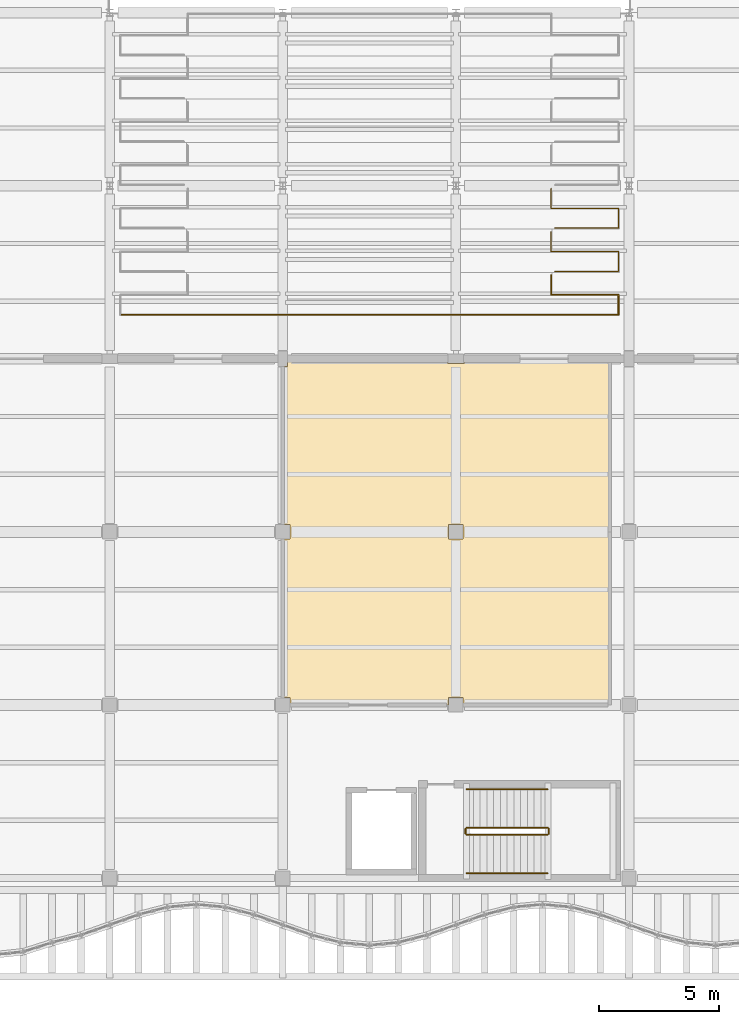
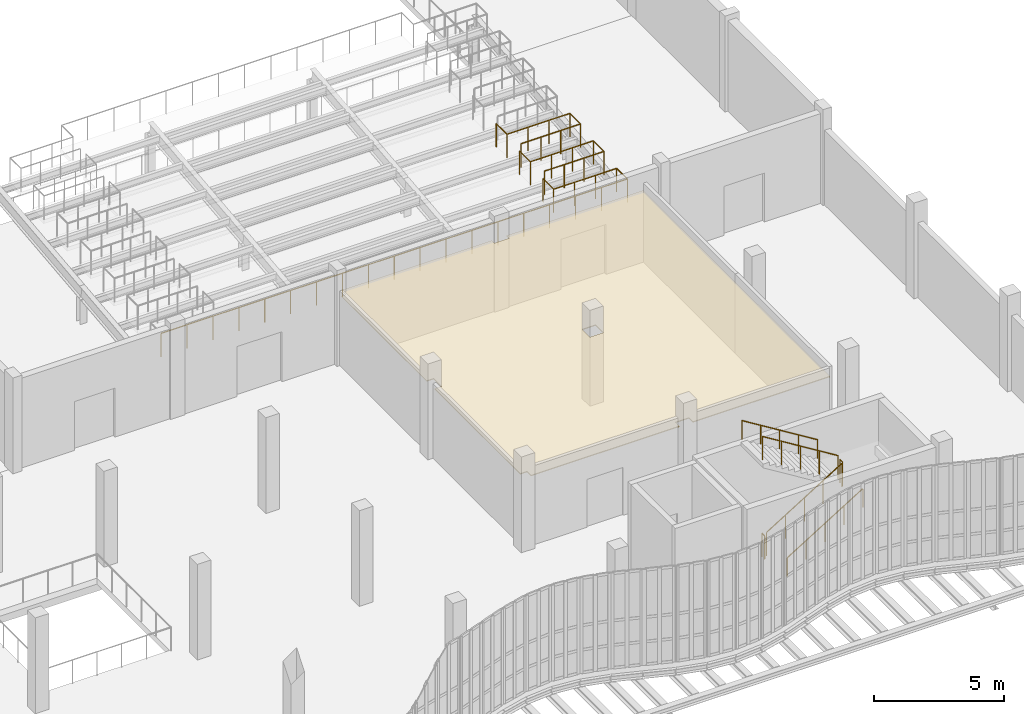
# One storey, part 99 of 105: 9 railings, 1 covering.
"""IFC4 building model written with IfcOpenShell, lengths in metres."""

from ifc_helpers import new_model, si_unit, direction, frame, origin, origin_2d, place, context, subcontext, project, spatial, polyline, circle, outline, extrude, material, layer, layer_set, type_object, element, save


model = new_model("IFC4")

# Units and contexts
model_context = context("Model", 3, precision=1e-05, world=origin(), true_north=direction((0.0, 1.0)))
body_context = subcontext(model_context, "Body", "Model", "MODEL_VIEW")
ifc_project = project(units=[si_unit("LENGTHUNIT", "METRE"), si_unit("AREAUNIT", "SQUARE_METRE"), si_unit("VOLUMEUNIT", "CUBIC_METRE"), si_unit("PLANEANGLEUNIT", "RADIAN"), si_unit("MASSUNIT", "GRAM", prefix="KILO"), si_unit("THERMODYNAMICTEMPERATUREUNIT", "KELVIN"), si_unit("POWERUNIT", "WATT")], contexts=[model_context])

# Site, building, storey
site_placement = place(None, origin())
site = spatial("IfcSite", under=ifc_project, at=site_placement, CompositionType="ELEMENT")
building_placement = place(site_placement, origin())
building = spatial("IfcBuilding", under=site, at=building_placement, Name="Kaldorven Railside Theatre", CompositionType="ELEMENT")
storey_placement = place(building_placement, frame((0.0, 0.0, 9.89990234375)))
storey = spatial("IfcBuildingStorey", under=building, at=storey_placement, Name="L02", CompositionType="ELEMENT", Elevation=9.89990234375)

# Covering
ifc_material_1 = material(Name="Acoustic gypsum board")
ifc_layer = layer(ifc_material_1, 0.0400390625, Name="Acoustic gypsum board")
ifc_layer_set = layer_set([ifc_layer], Name="Acoustic gypsum board")
covering_type = type_object("IfcCoveringType", Name="COV-CLG-01", PredefinedType="CEILING", material=ifc_layer_set)
covering_placement = place(storey_placement, frame((0.0, 0.0, 3.210205078125)))
element("IfcCovering", 1, at=covering_placement, inside=storey, type_object=covering_type, Name="Theatre Archive Room Acoustic Ceiling 017", PredefinedType="CEILING", context=body_context, shape_type="SweptSolid", body=[
    extrude(outline(polyline([(115.199951171875, 40.800048828125), (115.199951171875, 26.39990234375), (109.10205078125, 26.39990234375), (109.10205078125, 26.701904296875), (108.498046875, 26.701904296875), (108.498046875, 26.39990234375), (101.902099609375, 26.39990234375), (101.902099609375, 26.701904296875), (101.60009765625, 26.701904296875), (101.60009765625, 33.298095703125), (101.902099609375, 33.298095703125), (101.902099609375, 33.902099609375), (101.60009765625, 33.902099609375), (101.60009765625, 40.472900390625), (101.802001953125, 40.472900390625), (101.802001953125, 40.800048828125), (108.472900390625, 40.800048828125), (108.472900390625, 40.597900390625), (109.126953125, 40.597900390625), (109.126953125, 40.800048828125), (115.199951171875, 40.800048828125)]), holes=[polyline([(108.498046875, 33.902099609375), (108.498046875, 33.298095703125), (109.10205078125, 33.298095703125), (109.10205078125, 33.902099609375), (108.498046875, 33.902099609375)])]), origin(), (0.0, 0.0, 1.0), 0.039794921875),
])

# Railings
ifc_material_2 = material(Name="Anodised bronze aluminium", Category="aluminium")
railing_type_1 = type_object("IfcRailingType", Name="RLG-BAL-1100", PredefinedType="BALUSTRADE", material=ifc_material_2)
railing_1_placement = place(storey_placement, frame((112.760009765625, 44.280029296875, 1.4501953125)))
element("IfcRailing", 2, at=railing_1_placement, inside=storey, type_object=railing_type_1, Name="L02 Auditorium Tier Safety Guard GR-104", PredefinedType="BALUSTRADE", context=body_context, shape_type="SweptSolid", body=[
    extrude(circle(Radius=0.02392578125, at=origin_2d()), frame((0.0, 0.0, 1.09619140625), z_axis=(0.0, -1.0, 0.0), x_axis=(1.0, 0.0, 0.0)), (0.0, 0.0, 1.0), 0.820068359375),
    extrude(circle(Radius=0.02392578125, at=origin_2d()), frame((0.0, -0.820068359375, 1.09619140625), z_axis=(1.0, 0.0, 0.0), x_axis=(0.0, 1.0, 0.0)), (0.0, 0.0, 1.0), 2.800048828125),
    extrude(circle(Radius=0.02392578125, at=origin_2d()), frame((2.800048828125, -0.820068359375, 1.09619140625), z_axis=(0.0, -1.0, 0.0), x_axis=(1.0, 0.0, 0.0)), (0.0, 0.0, 1.0), 0.820068359375),
    extrude(circle(Radius=0.02392578125, at=origin_2d()), frame((2.800048828125, -1.64013671875, 1.09619140625), z_axis=(-1.0, 0.0, 0.0), x_axis=(0.0, -1.0, 0.0)), (0.0, 0.0, 1.0), 20.719970703125),
    extrude(circle(Radius=0.02099609375, at=origin_2d()), origin(), (0.0, 0.0, 1.0), 1.072021484375),
    extrude(circle(Radius=0.02099609375, at=origin_2d()), frame((0.0, -0.820068359375, 0.0)), (0.0, 0.0, 1.0), 1.072021484375),
    extrude(circle(Radius=0.02099609375, at=origin_2d()), frame((0.933349609375, -0.820068359375, 0.0)), (0.0, 0.0, 1.0), 1.072021484375),
    extrude(circle(Radius=0.02099609375, at=origin_2d()), frame((1.86669921875, -0.820068359375, 0.0)), (0.0, 0.0, 1.0), 1.072021484375),
    extrude(circle(Radius=0.02099609375, at=origin_2d()), frame((2.800048828125, -0.820068359375, 0.0)), (0.0, 0.0, 1.0), 1.072021484375),
    extrude(circle(Radius=0.02099609375, at=origin_2d()), frame((2.800048828125, -1.64013671875, 0.0)), (0.0, 0.0, 1.0), 1.072021484375),
    extrude(circle(Radius=0.02099609375, at=origin_2d()), frame((1.64892578125, -1.64013671875, 0.0)), (0.0, 0.0, 1.0), 1.072021484375),
    extrude(circle(Radius=0.02099609375, at=origin_2d()), frame((0.497802734375, -1.64013671875, 0.0)), (0.0, 0.0, 1.0), 1.072021484375),
    extrude(circle(Radius=0.02099609375, at=origin_2d()), frame((-0.6533203125, -1.64013671875, 0.0)), (0.0, 0.0, 1.0), 1.072021484375),
    extrude(circle(Radius=0.02099609375, at=origin_2d()), frame((-1.804443359375, -1.64013671875, 0.0)), (0.0, 0.0, 1.0), 1.072021484375),
    extrude(circle(Radius=0.02099609375, at=origin_2d()), frame((-2.95556640625, -1.64013671875, 0.0)), (0.0, 0.0, 1.0), 1.072021484375),
    extrude(circle(Radius=0.02099609375, at=origin_2d()), frame((-4.106689453125, -1.64013671875, 0.0)), (0.0, 0.0, 1.0), 1.072021484375),
    extrude(circle(Radius=0.02099609375, at=origin_2d()), frame((-5.2578125, -1.64013671875, 0.0)), (0.0, 0.0, 1.0), 1.072021484375),
    extrude(circle(Radius=0.02099609375, at=origin_2d()), frame((-6.408935546875, -1.64013671875, 0.0)), (0.0, 0.0, 1.0), 1.072021484375),
    extrude(circle(Radius=0.02099609375, at=origin_2d()), frame((-7.56005859375, -1.64013671875, 0.0)), (0.0, 0.0, 1.0), 1.072021484375),
    extrude(circle(Radius=0.02099609375, at=origin_2d()), frame((-8.7109375, -1.64013671875, 0.0)), (0.0, 0.0, 1.0), 1.072021484375),
    extrude(circle(Radius=0.02099609375, at=origin_2d()), frame((-9.862060546875, -1.64013671875, 0.0)), (0.0, 0.0, 1.0), 1.072021484375),
    extrude(circle(Radius=0.02099609375, at=origin_2d()), frame((-11.01318359375, -1.64013671875, 0.0)), (0.0, 0.0, 1.0), 1.072021484375),
    extrude(circle(Radius=0.02099609375, at=origin_2d()), frame((-12.164306640625, -1.64013671875, 0.0)), (0.0, 0.0, 1.0), 1.072021484375),
    extrude(circle(Radius=0.02099609375, at=origin_2d()), frame((-13.3154296875, -1.64013671875, 0.0)), (0.0, 0.0, 1.0), 1.072021484375),
    extrude(circle(Radius=0.02099609375, at=origin_2d()), frame((-14.466552734375, -1.64013671875, 0.0)), (0.0, 0.0, 1.0), 1.072021484375),
    extrude(circle(Radius=0.02099609375, at=origin_2d()), frame((-15.61767578125, -1.64013671875, 0.0)), (0.0, 0.0, 1.0), 1.072021484375),
    extrude(circle(Radius=0.02099609375, at=origin_2d()), frame((-16.768798828125, -1.64013671875, 0.0)), (0.0, 0.0, 1.0), 1.072021484375),
    extrude(circle(Radius=0.02099609375, at=origin_2d()), frame((-17.919921875, -1.64013671875, 0.0)), (0.0, 0.0, 1.0), 1.072021484375),
])
railing_2_placement = place(storey_placement, frame((112.760009765625, 46.080078125, 1.650146484375)))
element("IfcRailing", 3, at=railing_2_placement, inside=storey, type_object=railing_type_1, Name="L02 Auditorium Tier Safety Guard GR-106", PredefinedType="BALUSTRADE", context=body_context, shape_type="SweptSolid", body=[
    extrude(circle(Radius=0.02392578125, at=origin_2d()), frame((0.0, 0.0, 1.09619140625), z_axis=(0.0, -1.0, 0.0), x_axis=(1.0, 0.0, 0.0)), (0.0, 0.0, 1.0), 0.820068359375),
    extrude(circle(Radius=0.02392578125, at=origin_2d()), frame((0.0, -0.820068359375, 1.09619140625), z_axis=(1.0, 0.0, 0.0), x_axis=(0.0, 1.0, 0.0)), (0.0, 0.0, 1.0), 2.800048828125),
    extrude(circle(Radius=0.02392578125, at=origin_2d()), frame((2.800048828125, -0.820068359375, 1.09619140625), z_axis=(0.0, -1.0, 0.0), x_axis=(1.0, 0.0, 0.0)), (0.0, 0.0, 1.0), 0.820068359375),
    extrude(circle(Radius=0.02392578125, at=origin_2d()), frame((2.800048828125, -1.64013671875, 1.09619140625), z_axis=(-1.0, 0.0, 0.0), x_axis=(0.0, -1.0, 0.0)), (0.0, 0.0, 1.0), 2.64697265625),
    extrude(circle(Radius=0.02099609375, at=origin_2d()), origin(), (0.0, 0.0, 1.0), 1.072021484375),
    extrude(circle(Radius=0.02099609375, at=origin_2d()), frame((0.0, -0.820068359375, 0.0)), (0.0, 0.0, 1.0), 1.072021484375),
    extrude(circle(Radius=0.02099609375, at=origin_2d()), frame((0.933349609375, -0.820068359375, 0.0)), (0.0, 0.0, 1.0), 1.072021484375),
    extrude(circle(Radius=0.02099609375, at=origin_2d()), frame((1.86669921875, -0.820068359375, 0.0)), (0.0, 0.0, 1.0), 1.072021484375),
    extrude(circle(Radius=0.02099609375, at=origin_2d()), frame((2.800048828125, -0.820068359375, 0.0)), (0.0, 0.0, 1.0), 1.072021484375),
    extrude(circle(Radius=0.02099609375, at=origin_2d()), frame((2.800048828125, -1.64013671875, 0.0)), (0.0, 0.0, 1.0), 1.072021484375),
    extrude(circle(Radius=0.02099609375, at=origin_2d()), frame((1.917724609375, -1.64013671875, 0.0)), (0.0, 0.0, 1.0), 1.072021484375),
    extrude(circle(Radius=0.02099609375, at=origin_2d()), frame((1.035400390625, -1.64013671875, 0.0)), (0.0, 0.0, 1.0), 1.072021484375),
    extrude(circle(Radius=0.02099609375, at=origin_2d()), frame((0.153076171875, -1.64013671875, 0.0)), (0.0, 0.0, 1.0), 1.072021484375),
])
railing_3_placement = place(storey_placement, frame((112.760009765625, 47.8798828125, 1.85009765625)))
element("IfcRailing", 4, at=railing_3_placement, inside=storey, type_object=railing_type_1, Name="L02 Auditorium Tier Safety Guard GR-109", PredefinedType="BALUSTRADE", context=body_context, shape_type="SweptSolid", body=[
    extrude(circle(Radius=0.02392578125, at=origin_2d()), frame((0.0, 0.0, 1.09619140625), z_axis=(0.0, -1.0, 0.0), x_axis=(1.0, 0.0, 0.0)), (0.0, 0.0, 1.0), 0.81982421875),
    extrude(circle(Radius=0.02392578125, at=origin_2d()), frame((0.0, -0.81982421875, 1.09619140625), z_axis=(1.0, 0.0, 0.0), x_axis=(0.0, 1.0, 0.0)), (0.0, 0.0, 1.0), 2.800048828125),
    extrude(circle(Radius=0.02392578125, at=origin_2d()), frame((2.800048828125, -0.81982421875, 1.09619140625), z_axis=(0.0, -1.0, 0.0), x_axis=(1.0, 0.0, 0.0)), (0.0, 0.0, 1.0), 0.820068359375),
    extrude(circle(Radius=0.02392578125, at=origin_2d()), frame((2.800048828125, -1.639892578125, 1.09619140625), z_axis=(-1.0, 0.0, 0.0), x_axis=(0.0, -1.0, 0.0)), (0.0, 0.0, 1.0), 2.64697265625),
    extrude(circle(Radius=0.02099609375, at=origin_2d()), origin(), (0.0, 0.0, 1.0), 1.072021484375),
    extrude(circle(Radius=0.02099609375, at=origin_2d()), frame((0.0, -0.81982421875, 0.0)), (0.0, 0.0, 1.0), 1.072021484375),
    extrude(circle(Radius=0.02099609375, at=origin_2d()), frame((0.933349609375, -0.81982421875, 0.0)), (0.0, 0.0, 1.0), 1.072021484375),
    extrude(circle(Radius=0.02099609375, at=origin_2d()), frame((1.86669921875, -0.81982421875, 0.0)), (0.0, 0.0, 1.0), 1.072021484375),
    extrude(circle(Radius=0.02099609375, at=origin_2d()), frame((2.800048828125, -0.81982421875, 0.0)), (0.0, 0.0, 1.0), 1.072021484375),
    extrude(circle(Radius=0.02099609375, at=origin_2d()), frame((2.800048828125, -1.639892578125, 0.0)), (0.0, 0.0, 1.0), 1.072021484375),
    extrude(circle(Radius=0.02099609375, at=origin_2d()), frame((1.917724609375, -1.639892578125, 0.0)), (0.0, 0.0, 1.0), 1.072021484375),
    extrude(circle(Radius=0.02099609375, at=origin_2d()), frame((1.035400390625, -1.639892578125, 0.0)), (0.0, 0.0, 1.0), 1.072021484375),
    extrude(circle(Radius=0.02099609375, at=origin_2d()), frame((0.153076171875, -1.639892578125, 0.0)), (0.0, 0.0, 1.0), 1.072021484375),
])
ifc_material_3 = material(Name="Steel S355", Category="steel")
railing_type_2 = type_object("IfcRailingType", Name="RLG-STG-1100", PredefinedType="BALUSTRADE", material=ifc_material_3)
railing_4_placement = place(storey_placement, frame((109.25, 21.0, 0.173095703125)))
element("IfcRailing", 5, at=railing_4_placement, inside=storey, type_object=railing_type_2, Name="L02 ST-04 stair guard 1", PredefinedType="BALUSTRADE", context=body_context, shape_type="SweptSolid", body=[
    extrude(circle(Radius=0.02392578125, at=origin_2d()), frame((0.0, 0.0, 1.09619140625), z_axis=(0.850623216509, 0.0, 0.525775754039), x_axis=(0.0, 1.0, 0.0)), (0.0, 0.0, 1.0), 3.9501953125),
    extrude(circle(Radius=0.02099609375, at=origin_2d()), origin(), (0.0, 0.0, 1.0), 1.072021484375),
    extrude(circle(Radius=0.02099609375, at=origin_2d()), frame((0.840087890625, 0.0, 0.519287109375)), (0.0, 0.0, 1.0), 1.072021484375),
    extrude(circle(Radius=0.02099609375, at=origin_2d()), frame((1.68017578125, 0.0, 1.03857421875)), (0.0, 0.0, 1.0), 1.072021484375),
    extrude(circle(Radius=0.02099609375, at=origin_2d()), frame((2.52001953125, 0.0, 1.5576171875)), (0.0, 0.0, 1.0), 1.072021484375),
    extrude(circle(Radius=0.02099609375, at=origin_2d()), frame((3.360107421875, 0.0, 2.076904296875)), (0.0, 0.0, 1.0), 1.072021484375),
])
railing_5_placement = place(storey_placement, frame((112.659912109375, 21.050048828125, 2.25)))
element("IfcRailing", 6, at=railing_5_placement, inside=storey, type_object=railing_type_2, Name="L02 ST-04 stair guard 2", PredefinedType="BALUSTRADE", context=body_context, shape_type="SweptSolid", body=[
    extrude(circle(Radius=0.02392578125, at=origin_2d()), frame((0.0, 0.0, 1.09619140625), z_axis=(0.0, 1.0, 0.0), x_axis=(-1.0, 0.0, 0.0)), (0.0, 0.0, 1.0), 0.199951171875),
    extrude(circle(Radius=0.02099609375, at=origin_2d()), origin(), (0.0, 0.0, 1.0), 1.072021484375),
    extrude(circle(Radius=0.02099609375, at=origin_2d()), frame((0.0, 0.199951171875, 0.0)), (0.0, 0.0, 1.0), 1.072021484375),
])
railing_6_placement = place(storey_placement, frame((112.610107421875, 21.300048828125, 2.423095703125)))
element("IfcRailing", 7, at=railing_6_placement, inside=storey, type_object=railing_type_2, Name="L02 ST-04 stair guard 3", PredefinedType="BALUSTRADE", context=body_context, shape_type="SweptSolid", body=[
    extrude(circle(Radius=0.02392578125, at=origin_2d()), frame((0.0, 0.0, 1.09619140625), z_axis=(-0.850623216509, 0.0, 0.525775754039), x_axis=(0.0, -1.0, 0.0)), (0.0, 0.0, 1.0), 3.9501953125),
    extrude(circle(Radius=0.02099609375, at=origin_2d()), origin(), (0.0, 0.0, 1.0), 1.072021484375),
    extrude(circle(Radius=0.02099609375, at=origin_2d()), frame((-0.840087890625, 0.0, 0.519287109375)), (0.0, 0.0, 1.0), 1.072021484375),
    extrude(circle(Radius=0.02099609375, at=origin_2d()), frame((-1.68017578125, 0.0, 1.03857421875)), (0.0, 0.0, 1.0), 1.072021484375),
    extrude(circle(Radius=0.02099609375, at=origin_2d()), frame((-2.52001953125, 0.0, 1.5576171875)), (0.0, 0.0, 1.0), 1.072021484375),
    extrude(circle(Radius=0.02099609375, at=origin_2d()), frame((-3.360107421875, 0.0, 2.076904296875)), (0.0, 0.0, 1.0), 1.072021484375),
])
railing_7_placement = place(storey_placement, frame((109.199951171875, 21.050048828125, 0.0)))
element("IfcRailing", 8, at=railing_7_placement, inside=storey, type_object=railing_type_2, Name="L02 ST-04 stair guard 4", PredefinedType="BALUSTRADE", context=body_context, shape_type="SweptSolid", body=[
    extrude(circle(Radius=0.02392578125, at=origin_2d()), frame((0.0, 0.0, 1.09619140625), z_axis=(0.0, 1.0, 0.0), x_axis=(-1.0, 0.0, 0.0)), (0.0, 0.0, 1.0), 0.199951171875),
    extrude(circle(Radius=0.02099609375, at=origin_2d()), origin(), (0.0, 0.0, 1.0), 1.072021484375),
    extrude(circle(Radius=0.02099609375, at=origin_2d()), frame((0.0, 0.199951171875, 0.0)), (0.0, 0.0, 1.0), 1.072021484375),
])
railing_type_3 = type_object("IfcRailingType", Name="RLG-STH-900", PredefinedType="HANDRAIL", material=ifc_material_3)
railing_8_placement = place(storey_placement, frame((109.25, 19.39990234375, 0.173095703125)))
element("IfcRailing", 9, at=railing_8_placement, inside=storey, type_object=railing_type_3, Name="L02 ST-04 stair handrail 1", PredefinedType="HANDRAIL", context=body_context, shape_type="SweptSolid", body=[
    extrude(circle(Radius=0.02392578125, at=origin_2d()), frame((0.0, 0.0, 0.8759765625), z_axis=(0.850623216509, 0.0, 0.525775754039), x_axis=(0.0, 1.0, 0.0)), (0.0, 0.0, 1.0), 3.9501953125),
    extrude(circle(Radius=0.02099609375, at=origin_2d()), origin(), (0.0, 0.0, 1.0), 0.851806640625),
    extrude(circle(Radius=0.02099609375, at=origin_2d()), frame((0.840087890625, 0.0, 0.519287109375)), (0.0, 0.0, 1.0), 0.851806640625),
    extrude(circle(Radius=0.02099609375, at=origin_2d()), frame((1.68017578125, 0.0, 1.03857421875)), (0.0, 0.0, 1.0), 0.851806640625),
    extrude(circle(Radius=0.02099609375, at=origin_2d()), frame((2.52001953125, 0.0, 1.5576171875)), (0.0, 0.0, 1.0), 0.851806640625),
    extrude(circle(Radius=0.02099609375, at=origin_2d()), frame((3.360107421875, 0.0, 2.076904296875)), (0.0, 0.0, 1.0), 0.851806640625),
])
railing_9_placement = place(storey_placement, frame((112.610107421875, 22.89990234375, 2.423095703125)))
element("IfcRailing", 10, at=railing_9_placement, inside=storey, type_object=railing_type_3, Name="L02 ST-04 stair handrail 2", PredefinedType="HANDRAIL", context=body_context, shape_type="SweptSolid", body=[
    extrude(circle(Radius=0.02392578125, at=origin_2d()), frame((0.0, 0.0, 0.8759765625), z_axis=(-0.850623216509, 0.0, 0.525775754039), x_axis=(0.0, -1.0, 0.0)), (0.0, 0.0, 1.0), 3.9501953125),
    extrude(circle(Radius=0.02099609375, at=origin_2d()), origin(), (0.0, 0.0, 1.0), 0.851806640625),
    extrude(circle(Radius=0.02099609375, at=origin_2d()), frame((-0.840087890625, 0.0, 0.519287109375)), (0.0, 0.0, 1.0), 0.851806640625),
    extrude(circle(Radius=0.02099609375, at=origin_2d()), frame((-1.68017578125, 0.0, 1.03857421875)), (0.0, 0.0, 1.0), 0.851806640625),
    extrude(circle(Radius=0.02099609375, at=origin_2d()), frame((-2.52001953125, 0.0, 1.5576171875)), (0.0, 0.0, 1.0), 0.851806640625),
    extrude(circle(Radius=0.02099609375, at=origin_2d()), frame((-3.360107421875, 0.0, 2.076904296875)), (0.0, 0.0, 1.0), 0.851806640625),
])

save(model, "model.ifc")
